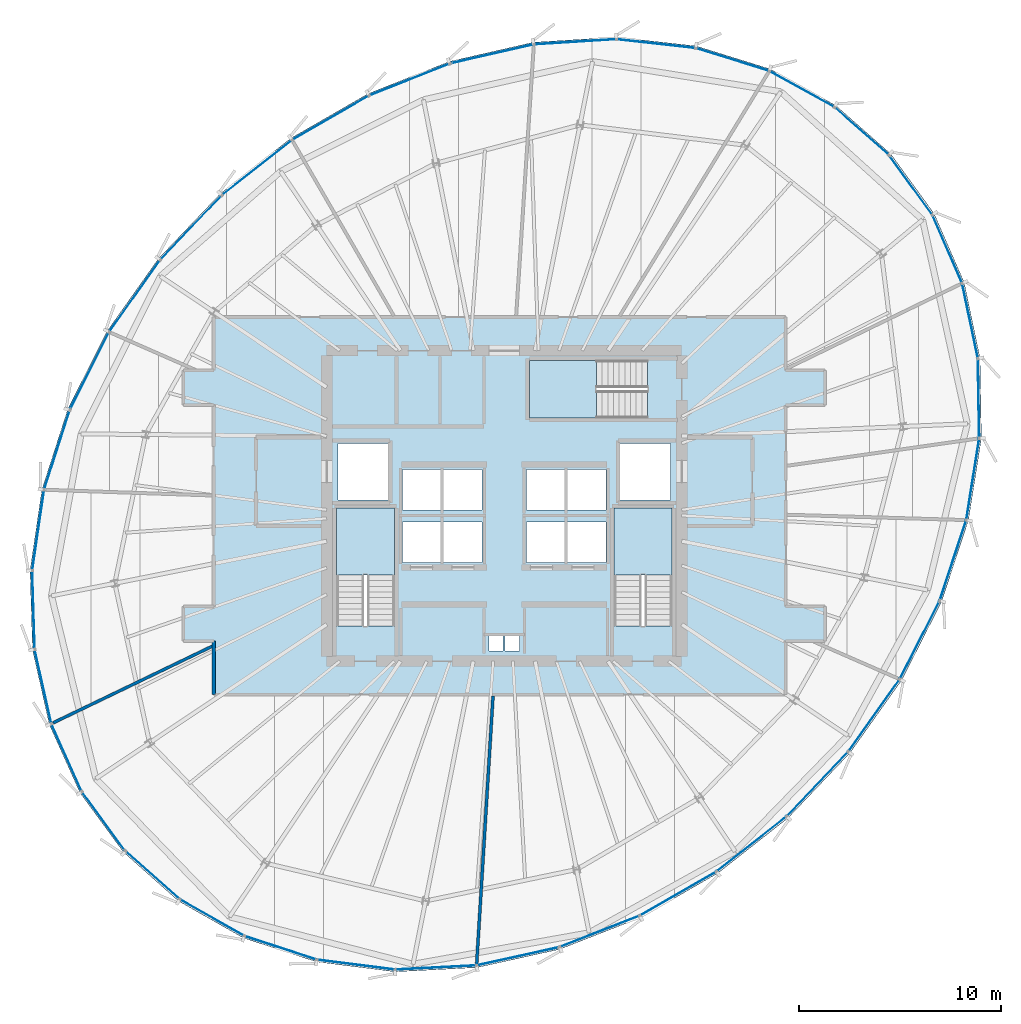
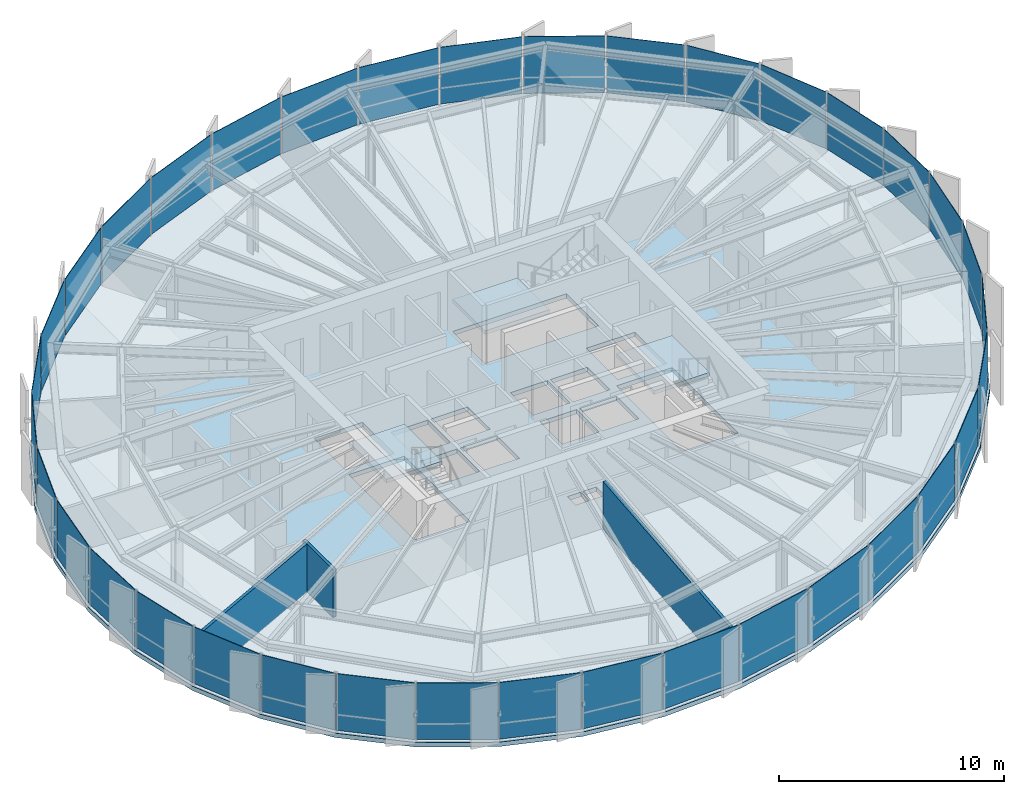
# One storey, part 29 of 35: 36 plates, 4 slabs, 3 walls, 9 elements without a shape of their own.
"""IFC4 building model written with IfcOpenShell, lengths in metres."""

from ifc_helpers import new_model, si_unit, direction, frame, frame_2d, origin, origin_2d, place, context, subcontext, project, spatial, polyline, rectangle, outline, extrude, source, transform, mapped, material, layer, layer_set, type_object, element, aggregate, save


model = new_model("IFC4")

# Units and contexts
model_context = context("Model", 3, precision=1e-05, world=origin(), true_north=direction((0.0, 1.0)))
body_context = subcontext(model_context, "Body", "Model", "MODEL_VIEW")
ifc_project = project(units=[si_unit("LENGTHUNIT", "METRE"), si_unit("AREAUNIT", "SQUARE_METRE"), si_unit("VOLUMEUNIT", "CUBIC_METRE"), si_unit("PLANEANGLEUNIT", "RADIAN"), si_unit("MASSUNIT", "GRAM", prefix="KILO"), si_unit("THERMODYNAMICTEMPERATUREUNIT", "KELVIN")], contexts=[model_context])

# Site, building, storey
site_placement = place(None, origin())
site = spatial("IfcSite", under=ifc_project, at=site_placement, CompositionType="ELEMENT")
building_placement = place(site_placement, origin())
building = spatial("IfcBuilding", under=site, at=building_placement, Name="Kethvar Cultural Tower", CompositionType="ELEMENT")
storey_placement = place(building_placement, frame((0.0, 0.0, 204.39990234375)))
storey = spatial("IfcBuildingStorey", under=building, at=storey_placement, Name="L53", CompositionType="ELEMENT", Elevation=204.39990234375)

# Stair, slab
ifc_material_1 = material(Name="Concrete C40/50", Category="concrete")
stair_type = type_object("IfcStairType", Name="ST-DOGLEG-135", PredefinedType="HALF_TURN_STAIR", material=ifc_material_1)
stair_1_placement = place(storey_placement, origin())
stair_1 = element("IfcStair", 1, at=stair_1_placement, inside=storey, type_object=stair_type, Name="L53 Core Exit Stair 1", PredefinedType="HALF_TURN_STAIR")
ifc_layer_1 = layer(ifc_material_1, 0.199951171875, Name="Concrete C40/50", Category="concrete")
ifc_layer_set_1 = layer_set([ifc_layer_1], Name="Concrete C40/50 (200 mm)")
slab_type_1 = type_object("IfcSlabType", Name="SL-STAIR-LANDING-200", PredefinedType="LANDING", material=ifc_layer_set_1)
slab_1_placement = place(storey_placement, frame((0.0, 0.0, 1.550048828125)))
slab_1 = element("IfcSlab", 2, at=slab_1_placement, type_object=slab_type_1, Name="ST-01 landing 1", PredefinedType="LANDING", context=body_context, shape_type="SweptSolid", body=[
    extrude(outline(polyline([(41.35009765625, 24.3701171875), (41.35009765625, 27.699951171875), (38.489990234375, 27.699951171875), (38.489990234375, 24.3701171875), (41.35009765625, 24.3701171875)])), origin(), (0.0, 0.0, 1.0), 0.199951171875),
])
aggregate(stair_1, [slab_1])

stair_2_placement = place(storey_placement, origin())
stair_2 = element("IfcStair", 3, at=stair_2_placement, inside=storey, type_object=stair_type, Name="L53 Core Exit Stair 2", PredefinedType="HALF_TURN_STAIR")
slab_2_placement = place(storey_placement, frame((0.0, 0.0, 1.550048828125)))
slab_2 = element("IfcSlab", 4, at=slab_2_placement, type_object=slab_type_1, Name="ST-02 landing 1", PredefinedType="LANDING", context=body_context, shape_type="SweptSolid", body=[
    extrude(outline(polyline([(55.110107421875, 24.3701171875), (55.110107421875, 27.699951171875), (52.25, 27.699951171875), (52.25, 24.3701171875), (55.110107421875, 24.3701171875)])), origin(), (0.0, 0.0, 1.0), 0.199951171875),
])
aggregate(stair_2, [slab_2])

stair_3_placement = place(storey_placement, origin())
stair_3 = element("IfcStair", 5, at=stair_3_placement, inside=storey, type_object=stair_type, Name="L53 Core Exit Stair 3", PredefinedType="HALF_TURN_STAIR")
slab_3_placement = place(storey_placement, frame((0.0, 0.0, 1.550048828125)))
slab_3 = element("IfcSlab", 6, at=slab_3_placement, type_object=slab_type_1, Name="ST-03 landing 1", PredefinedType="LANDING", context=body_context, shape_type="SweptSolid", body=[
    extrude(outline(polyline([(51.3798828125, 35.010009765625), (48.050048828125, 35.010009765625), (48.050048828125, 32.14990234375), (51.3798828125, 32.14990234375), (51.3798828125, 35.010009765625)])), origin(), (0.0, 0.0, 1.0), 0.199951171875),
])
aggregate(stair_3, [slab_3])

# Slab
ifc_layer_2 = layer(ifc_material_1, 0.239990234375, Name="Concrete C40/50", Category="concrete")
ifc_layer_set_2 = layer_set([ifc_layer_2], Name="Concrete C40/50 (240 mm)")
slab_type_2 = type_object("IfcSlabType", Name="SL-TOW-240", PredefinedType="FLOOR", material=ifc_layer_set_2)
slab_4_placement = place(storey_placement, frame((0.0, 0.0, -0.239990234375)))
element("IfcSlab", 7, at=slab_4_placement, inside=storey, type_object=slab_type_2, Name="L53 Structural Floor Slab", PredefinedType="FLOOR", context=body_context, shape_type="SweptSolid", body=[
    extrude(outline(polyline([(65.972900390625, 45.24609375), (63.229736328125, 47.662109375), (59.975830078125, 49.464111328125), (56.31396484375, 50.600830078125), (52.361572265625, 51.04345703125), (48.2451171875, 50.78466796875), (44.09619140625, 49.837646484375), (40.044677734375, 48.23486328125), (36.214599609375, 46.02587890625), (32.718994140625, 43.27490234375), (29.65478515625, 40.05712890625), (27.11181640625, 36.466796875), (25.1669921875, 32.61328125), (23.87939453125, 28.613525390625), (23.2880859375, 24.5888671875), (23.41162109375, 20.661865234375), (24.245361328125, 16.951904296875), (25.7646484375, 13.5712890625), (27.923095703125, 10.623291015625), (30.65478515625, 8.197021484375), (33.87744140625, 6.366455078125), (37.49267578125, 5.18701171875), (41.390380859375, 4.694580078125), (45.452880859375, 4.904541015625), (49.55615234375, 5.809814453125), (53.57568359375, 7.383544921875), (57.38916015625, 9.577392578125), (60.881103515625, 12.3251953125), (63.94873046875, 15.54638671875), (66.508544921875, 19.151611328125), (68.4853515625, 23.0341796875), (69.818603515625, 27.07568359375), (70.4638671875, 31.1494140625), (70.39501953125, 35.1259765625), (69.60791015625, 38.878662109375), (68.1201171875, 42.28759765625), (65.972900390625, 45.24609375)]), holes=[polyline([(38.489990234375, 21.85009765625), (38.489990234375, 27.699951171875), (41.35009765625, 27.699951171875), (41.35009765625, 21.85009765625), (38.489990234375, 21.85009765625)]), polyline([(52.25, 21.85009765625), (52.25, 27.699951171875), (55.110107421875, 27.699951171875), (55.110107421875, 21.85009765625), (52.25, 21.85009765625)]), polyline([(53.89990234375, 32.14990234375), (48.050048828125, 32.14990234375), (48.050048828125, 35.010009765625), (53.89990234375, 35.010009765625), (53.89990234375, 32.14990234375)]), polyline([(41.75, 27.0), (43.64990234375, 27.0), (43.64990234375, 25.0), (41.75, 25.0), (41.75, 27.0)]), polyline([(43.800048828125, 27.0), (45.699951171875, 27.0), (45.699951171875, 25.0), (43.800048828125, 25.0), (43.800048828125, 27.0)]), polyline([(47.89990234375, 27.0), (49.800048828125, 27.0), (49.800048828125, 25.0), (47.89990234375, 25.0), (47.89990234375, 27.0)]), polyline([(49.949951171875, 27.0), (51.85009765625, 27.0), (51.85009765625, 25.0), (49.949951171875, 25.0), (49.949951171875, 27.0)]), polyline([(41.75, 29.60009765625), (43.64990234375, 29.60009765625), (43.64990234375, 27.60009765625), (41.75, 27.60009765625), (41.75, 29.60009765625)]), polyline([(43.800048828125, 29.60009765625), (45.699951171875, 29.60009765625), (45.699951171875, 27.60009765625), (43.800048828125, 27.60009765625), (43.800048828125, 29.60009765625)]), polyline([(47.89990234375, 29.60009765625), (49.800048828125, 29.60009765625), (49.800048828125, 27.60009765625), (47.89990234375, 27.60009765625), (47.89990234375, 29.60009765625)]), polyline([(49.949951171875, 29.60009765625), (51.85009765625, 29.60009765625), (51.85009765625, 27.60009765625), (49.949951171875, 27.60009765625), (49.949951171875, 29.60009765625)]), polyline([(38.550048828125, 30.89990234375), (41.050048828125, 30.89990234375), (41.050048828125, 28.10009765625), (38.550048828125, 28.10009765625), (38.550048828125, 30.89990234375)]), polyline([(52.550048828125, 30.89990234375), (55.050048828125, 30.89990234375), (55.050048828125, 28.10009765625), (52.550048828125, 28.10009765625), (52.550048828125, 30.89990234375)]), polyline([(46.050048828125, 21.35009765625), (46.75, 21.35009765625), (46.75, 20.60009765625), (46.050048828125, 20.60009765625), (46.050048828125, 21.35009765625)]), polyline([(46.85009765625, 21.35009765625), (47.550048828125, 21.35009765625), (47.550048828125, 20.60009765625), (46.85009765625, 20.60009765625), (46.85009765625, 21.35009765625)])]), origin(), (0.0, 0.0, 1.0), 0.239990234375),
])

# Curtain wall, plate
ifc_material_2 = material(Name="Aluminium 6063-T6", Category="aluminium")
ifc_layer_3 = layer(ifc_material_2, 0.179931640625, Name="Aluminium 6063-T6", Category="aluminium")
ifc_layer_set_3 = layer_set([ifc_layer_3], Name="Aluminium 6063-T6 (180 mm)")
curtain_wall_type = type_object("IfcCurtainWallType", Name="CW-SYS-04-Z34", PredefinedType="NOTDEFINED", material=ifc_layer_set_3)
curtain_wall_1_placement = place(storey_placement, origin())
curtain_wall_1 = element("IfcCurtainWall", 8, at=curtain_wall_1_placement, inside=storey, type_object=curtain_wall_type, Name="L53 Curtain Wall Run 01", PredefinedType="NOTDEFINED")
ifc_material_3 = material(Name="Insulated Low-E Solar Glass", Category="glass")
ifc_layer_4 = layer(ifc_material_3, 0.030029296875, Name="Insulated Low-E Solar Glass", Category="glass")
ifc_layer_set_4 = layer_set([ifc_layer_4], Name="Insulated Low-E Solar Glass (30 mm)")
plate_type = type_object("IfcPlateType", Name="CW-SYS-04-Z34-PNL", PredefinedType="CURTAIN_PANEL", material=ifc_layer_set_4)
shared_shape_1 = source(origin(), body_context, "Body", "SweptSolid", [
    extrude(rectangle(XDim=3.569091796875, YDim=0.030029296875, at=origin_2d()), origin(), (0.0, 0.0, 1.0), 3.080078125),
])
plate_1_placement = place(storey_placement, frame((64.528564453125, 46.37158203125, 0.090087890625), z_axis=(0.0, 0.0, 1.0), x_axis=(-0.750422622206, 0.660958310395, 0.0)))
plate_1 = element("IfcPlate", 9, at=plate_1_placement, type_object=plate_type, Name="CW-L53-R01 Vision Glazing Panel 1", PredefinedType="CURTAIN_PANEL", context=body_context, shape_type="MappedRepresentation", body=[
    mapped(shared_shape_1, transform((0.0, 0.0, 0.0), scale=1.0)),
])

curtain_wall_2_placement = place(storey_placement, origin())
curtain_wall_2 = element("IfcCurtainWall", 10, at=curtain_wall_2_placement, inside=storey, type_object=curtain_wall_type, Name="L53 Curtain Wall Run 06", PredefinedType="NOTDEFINED")
plate_2_placement = place(storey_placement, frame((66.95751953125, 43.7021484375, 0.090087890625), z_axis=(0.0, 0.0, 1.0), x_axis=(-0.58741807152, 0.809283639555, 0.0)))
plate_2 = element("IfcPlate", 11, at=plate_2_placement, type_object=plate_type, Name="CW-L53-R06 Vision Glazing Panel 6", PredefinedType="CURTAIN_PANEL", context=body_context, shape_type="MappedRepresentation", body=[
    mapped(shared_shape_1, transform((0.0, 0.0, 0.0), scale=1.0)),
])

# Plate
shared_shape_2 = source(origin(), body_context, "Body", "SweptSolid", [
    extrude(rectangle(XDim=3.63330078125, YDim=0.030029296875, at=origin_2d()), origin(), (0.0, 0.0, 1.0), 3.080078125),
])
plate_3_placement = place(storey_placement, frame((61.549560546875, 48.466796875, 0.090087890625), z_axis=(0.0, 0.0, 1.0), x_axis=(-0.87481425172, 0.484458486341, 0.0)))
plate_3 = element("IfcPlate", 12, at=plate_3_placement, type_object=plate_type, Name="CW-L53-R01 Vision Glazing Panel 2", PredefinedType="CURTAIN_PANEL", context=body_context, shape_type="MappedRepresentation", body=[
    mapped(shared_shape_2, transform((0.0, 0.0, 0.0), scale=1.0)),
])

shared_shape_3 = source(origin(), body_context, "Body", "SweptSolid", [
    extrude(rectangle(XDim=3.747802734375, YDim=0.030029296875, at=origin_2d()), origin(), (0.0, 0.0, 1.0), 3.080078125),
])
plate_4_placement = place(storey_placement, frame((58.1123046875, 49.927490234375, 0.090087890625), z_axis=(0.0, 0.0, 1.0), x_axis=(-0.955040644637, 0.296474901283, 0.0)))
plate_4 = element("IfcPlate", 13, at=plate_4_placement, type_object=plate_type, Name="CW-L53-R01 Vision Glazing Panel 3", PredefinedType="CURTAIN_PANEL", context=body_context, shape_type="MappedRepresentation", body=[
    mapped(shared_shape_3, transform((0.0, 0.0, 0.0), scale=1.0)),
])

plate_5_placement = place(storey_placement, frame((69.893798828125, 36.979736328125, 0.090087890625), z_axis=(0.0, 0.0, 1.0), x_axis=(-0.20528187096, 0.978702893352, 0.0)))
plate_5 = element("IfcPlate", 14, at=plate_5_placement, type_object=plate_type, Name="CW-L53-R06 Vision Glazing Panel 4", PredefinedType="CURTAIN_PANEL", context=body_context, shape_type="MappedRepresentation", body=[
    mapped(shared_shape_3, transform((0.0, 0.0, 0.0), scale=1.0)),
])

shared_shape_4 = source(origin(), body_context, "Body", "SweptSolid", [
    extrude(rectangle(XDim=3.890625, YDim=0.030029296875, at=origin_2d()), origin(), (0.0, 0.0, 1.0), 3.080078125),
])
plate_6_placement = place(storey_placement, frame((54.325439453125, 50.712890625, 0.090087890625), z_axis=(0.0, 0.0, 1.0), x_axis=(-0.993787359023, 0.111295485288, 0.0)))
plate_6 = element("IfcPlate", 15, at=plate_6_placement, type_object=plate_type, Name="CW-L53-R01 Vision Glazing Panel 4", PredefinedType="CURTAIN_PANEL", context=body_context, shape_type="MappedRepresentation", body=[
    mapped(shared_shape_4, transform((0.0, 0.0, 0.0), scale=1.0)),
])

shared_shape_5 = source(origin(), body_context, "Body", "SweptSolid", [
    extrude(rectangle(XDim=4.0380859375, YDim=0.030029296875, at=origin_2d()), origin(), (0.0, 0.0, 1.0), 3.080078125),
])
plate_7_placement = place(storey_placement, frame((50.310302734375, 50.80419921875, 0.090087890625), z_axis=(0.0, 0.0, 1.0), x_axis=(-0.998028919623, -0.062755681786, 0.0)))
plate_7 = element("IfcPlate", 16, at=plate_7_placement, type_object=plate_type, Name="CW-L53-R01 Vision Glazing Panel 5", PredefinedType="CURTAIN_PANEL", context=body_context, shape_type="MappedRepresentation", body=[
    mapped(shared_shape_5, transform((0.0, 0.0, 0.0), scale=1.0)),
])

plate_8_placement = place(storey_placement, frame((70.03271484375, 29.1298828125, 0.090087890625), z_axis=(0.0, 0.0, 1.0), x_axis=(0.156399988118, 0.987693800586, 0.0)))
plate_8 = element("IfcPlate", 17, at=plate_8_placement, type_object=plate_type, Name="CW-L53-R06 Vision Glazing Panel 2", PredefinedType="CURTAIN_PANEL", context=body_context, shape_type="MappedRepresentation", body=[
    mapped(shared_shape_5, transform((0.0, 0.0, 0.0), scale=1.0)),
])

shared_shape_6 = source(origin(), body_context, "Body", "SweptSolid", [
    extrude(rectangle(XDim=4.169189453125, YDim=0.030029296875, at=origin_2d()), origin(), (0.0, 0.0, 1.0), 3.080078125),
])
plate_9_placement = place(storey_placement, frame((46.1953125, 50.203857421875, 0.090087890625), z_axis=(0.0, 0.0, 1.0), x_axis=(-0.974928466996, -0.222518503141, 0.0)))
plate_9 = element("IfcPlate", 18, at=plate_9_placement, type_object=plate_type, Name="CW-L53-R01 Vision Glazing Panel 6", PredefinedType="CURTAIN_PANEL", context=body_context, shape_type="MappedRepresentation", body=[
    mapped(shared_shape_6, transform((0.0, 0.0, 0.0), scale=1.0)),
])

aggregate(curtain_wall_1, [plate_1, plate_3, plate_4, plate_6, plate_7, plate_9])

plate_10_placement = place(storey_placement, frame((69.047607421875, 25.08935546875, 0.090087890625), z_axis=(0.0, 0.0, 1.0), x_axis=(0.313296406444, 0.949655391028, 0.0)))
plate_10 = element("IfcPlate", 19, at=plate_10_placement, type_object=plate_type, Name="CW-L53-R06 Vision Glazing Panel 1", PredefinedType="CURTAIN_PANEL", context=body_context, shape_type="MappedRepresentation", body=[
    mapped(shared_shape_6, transform((0.0, 0.0, 0.0), scale=1.0)),
])

# Curtain wall, plates
curtain_wall_3_placement = place(storey_placement, origin())
curtain_wall_3 = element("IfcCurtainWall", 20, at=curtain_wall_3_placement, inside=storey, type_object=curtain_wall_type, Name="L53 Curtain Wall Run 02", PredefinedType="NOTDEFINED")
shared_shape_7 = source(origin(), body_context, "Body", "SweptSolid", [
    extrude(rectangle(XDim=4.270751953125, YDim=0.030029296875, at=origin_2d()), origin(), (0.0, 0.0, 1.0), 3.080078125),
])
plate_11_placement = place(storey_placement, frame((42.11083984375, 48.93408203125, 0.090087890625), z_axis=(0.0, 0.0, 1.0), x_axis=(-0.929879249402, -0.367864895759, 0.0)))
plate_11 = element("IfcPlate", 21, at=plate_11_placement, type_object=plate_type, Name="CW-L53-R02 Vision Glazing Panel 1", PredefinedType="CURTAIN_PANEL", context=body_context, shape_type="MappedRepresentation", body=[
    mapped(shared_shape_7, transform((0.0, 0.0, 0.0), scale=1.0)),
])
shared_shape_8 = source(origin(), body_context, "Body", "SweptSolid", [
    extrude(rectangle(XDim=4.335205078125, YDim=0.030029296875, at=origin_2d()), origin(), (0.0, 0.0, 1.0), 3.080078125),
])
plate_12_placement = place(storey_placement, frame((38.1845703125, 47.03515625, 0.090087890625), z_axis=(0.0, 0.0, 1.0), x_axis=(-0.866260927067, -0.499591839642, 0.0)))
plate_12 = element("IfcPlate", 22, at=plate_12_placement, type_object=plate_type, Name="CW-L53-R02 Vision Glazing Panel 2", PredefinedType="CURTAIN_PANEL", context=body_context, shape_type="MappedRepresentation", body=[
    mapped(shared_shape_8, transform((0.0, 0.0, 0.0), scale=1.0)),
])

# Curtain wall, plate
curtain_wall_4_placement = place(storey_placement, origin())
curtain_wall_4 = element("IfcCurtainWall", 23, at=curtain_wall_4_placement, inside=storey, type_object=curtain_wall_type, Name="L53 Curtain Wall Run 05", PredefinedType="NOTDEFINED")
plate_13_placement = place(storey_placement, frame((65.138916015625, 17.41259765625, 0.090087890625), z_axis=(0.0, 0.0, 1.0), x_axis=(0.578911219452, 0.815390581251, 0.0)))
plate_13 = element("IfcPlate", 24, at=plate_13_placement, type_object=plate_type, Name="CW-L53-R05 Vision Glazing Panel 5", PredefinedType="CURTAIN_PANEL", context=body_context, shape_type="MappedRepresentation", body=[
    mapped(shared_shape_8, transform((0.0, 0.0, 0.0), scale=1.0)),
])

# Plate
shared_shape_9 = source(origin(), body_context, "Body", "SweptSolid", [
    extrude(rectangle(XDim=4.36181640625, YDim=0.030029296875, at=origin_2d()), origin(), (0.0, 0.0, 1.0), 3.080078125),
])
plate_14_placement = place(storey_placement, frame((34.534912109375, 44.56396484375, 0.090087890625), z_axis=(0.0, 0.0, 1.0), x_axis=(-0.785835306171, -0.618435826561, 0.0)))
plate_14 = element("IfcPlate", 25, at=plate_14_placement, type_object=plate_type, Name="CW-L53-R02 Vision Glazing Panel 3", PredefinedType="CURTAIN_PANEL", context=body_context, shape_type="MappedRepresentation", body=[
    mapped(shared_shape_9, transform((0.0, 0.0, 0.0), scale=1.0)),
])

shared_shape_10 = source(origin(), body_context, "Body", "SweptSolid", [
    extrude(rectangle(XDim=4.35693359375, YDim=0.030029296875, at=origin_2d()), origin(), (0.0, 0.0, 1.0), 3.080078125),
])
plate_15_placement = place(storey_placement, frame((31.2666015625, 41.590087890625, 0.090087890625), z_axis=(0.0, 0.0, 1.0), x_axis=(-0.68958162524, -0.72420796884, 0.0)))
plate_15 = element("IfcPlate", 26, at=plate_15_placement, type_object=plate_type, Name="CW-L53-R02 Vision Glazing Panel 4", PredefinedType="CURTAIN_PANEL", context=body_context, shape_type="MappedRepresentation", body=[
    mapped(shared_shape_10, transform((0.0, 0.0, 0.0), scale=1.0)),
])

shared_shape_11 = source(origin(), body_context, "Body", "SweptSolid", [
    extrude(rectangle(XDim=4.313232421875, YDim=0.030029296875, at=origin_2d()), origin(), (0.0, 0.0, 1.0), 3.080078125),
])
plate_16_placement = place(storey_placement, frame((28.47314453125, 38.198486328125, 0.090087890625), z_axis=(0.0, 0.0, 1.0), x_axis=(-0.578028543166, -0.816016545963, 0.0)))
plate_16 = element("IfcPlate", 27, at=plate_16_placement, type_object=plate_type, Name="CW-L53-R02 Vision Glazing Panel 5", PredefinedType="CURTAIN_PANEL", context=body_context, shape_type="MappedRepresentation", body=[
    mapped(shared_shape_11, transform((0.0, 0.0, 0.0), scale=1.0)),
])

plate_17_placement = place(storey_placement, frame((55.427490234375, 8.575927734375, 0.090087890625), z_axis=(0.0, 0.0, 1.0), x_axis=(0.866792326895, 0.49866929125, 0.0)))
plate_17 = element("IfcPlate", 28, at=plate_17_placement, type_object=plate_type, Name="CW-L53-R05 Vision Glazing Panel 2", PredefinedType="CURTAIN_PANEL", context=body_context, shape_type="MappedRepresentation", body=[
    mapped(shared_shape_11, transform((0.0, 0.0, 0.0), scale=1.0)),
])

shared_shape_12 = source(origin(), body_context, "Body", "SweptSolid", [
    extrude(rectangle(XDim=4.230224609375, YDim=0.030029296875, at=origin_2d()), origin(), (0.0, 0.0, 1.0), 3.080078125),
])
plate_18_placement = place(storey_placement, frame((26.237548828125, 34.490478515625, 0.090087890625), z_axis=(0.0, 0.0, 1.0), x_axis=(-0.450565941999, -0.892743150022, 0.0)))
plate_18 = element("IfcPlate", 29, at=plate_18_placement, type_object=plate_type, Name="CW-L53-R02 Vision Glazing Panel 6", PredefinedType="CURTAIN_PANEL", context=body_context, shape_type="MappedRepresentation", body=[
    mapped(shared_shape_12, transform((0.0, 0.0, 0.0), scale=1.0)),
])

aggregate(curtain_wall_3, [plate_11, plate_12, plate_14, plate_15, plate_16, plate_18])

plate_19_placement = place(storey_placement, frame((51.52587890625, 6.69921875, 0.090087890625), z_axis=(0.0, 0.0, 1.0), x_axis=(0.931183125162, 0.364551762325, 0.0)))
plate_19 = element("IfcPlate", 30, at=plate_19_placement, type_object=plate_type, Name="CW-L53-R05 Vision Glazing Panel 1", PredefinedType="CURTAIN_PANEL", context=body_context, shape_type="MappedRepresentation", body=[
    mapped(shared_shape_12, transform((0.0, 0.0, 0.0), scale=1.0)),
])

# Curtain wall, plate
curtain_wall_5_placement = place(storey_placement, origin())
curtain_wall_5 = element("IfcCurtainWall", 31, at=curtain_wall_5_placement, inside=storey, type_object=curtain_wall_type, Name="L53 Curtain Wall Run 03", PredefinedType="NOTDEFINED")
shared_shape_13 = source(origin(), body_context, "Body", "SweptSolid", [
    extrude(rectangle(XDim=4.115478515625, YDim=0.030029296875, at=origin_2d()), origin(), (0.0, 0.0, 1.0), 3.080078125),
])
plate_20_placement = place(storey_placement, frame((24.627685546875, 30.57958984375, 0.090087890625), z_axis=(0.0, 0.0, 1.0), x_axis=(-0.306426397635, -0.95189435487, 0.0)))
plate_20 = element("IfcPlate", 32, at=plate_20_placement, type_object=plate_type, Name="CW-L53-R03 Vision Glazing Panel 1", PredefinedType="CURTAIN_PANEL", context=body_context, shape_type="MappedRepresentation", body=[
    mapped(shared_shape_13, transform((0.0, 0.0, 0.0), scale=1.0)),
])

curtain_wall_6_placement = place(storey_placement, origin())
curtain_wall_6 = element("IfcCurtainWall", 33, at=curtain_wall_6_placement, inside=storey, type_object=curtain_wall_type, Name="L53 Curtain Wall Run 04", PredefinedType="NOTDEFINED")
plate_21_placement = place(storey_placement, frame((47.480712890625, 5.464599609375, 0.090087890625), z_axis=(0.0, 0.0, 1.0), x_axis=(0.976510846245, 0.215468250944, 0.0)))
plate_21 = element("IfcPlate", 34, at=plate_21_placement, type_object=plate_type, Name="CW-L53-R04 Vision Glazing Panel 6", PredefinedType="CURTAIN_PANEL", context=body_context, shape_type="MappedRepresentation", body=[
    mapped(shared_shape_13, transform((0.0, 0.0, 0.0), scale=1.0)),
])

# Plate
shared_shape_14 = source(origin(), body_context, "Body", "SweptSolid", [
    extrude(rectangle(XDim=3.9814453125, YDim=0.030029296875, at=origin_2d()), origin(), (0.0, 0.0, 1.0), 3.080078125),
])
plate_22_placement = place(storey_placement, frame((23.692626953125, 26.585205078125, 0.090087890625), z_axis=(0.0, 0.0, 1.0), x_axis=(-0.145306010913, -0.989386761177, 0.0)))
plate_22 = element("IfcPlate", 35, at=plate_22_placement, type_object=plate_type, Name="CW-L53-R03 Vision Glazing Panel 2", PredefinedType="CURTAIN_PANEL", context=body_context, shape_type="MappedRepresentation", body=[
    mapped(shared_shape_14, transform((0.0, 0.0, 0.0), scale=1.0)),
])

shared_shape_15 = source(origin(), body_context, "Body", "SweptSolid", [
    extrude(rectangle(XDim=3.842529296875, YDim=0.030029296875, at=origin_2d()), origin(), (0.0, 0.0, 1.0), 3.080078125),
])
plate_23_placement = place(storey_placement, frame((23.459716796875, 22.62890625, 0.090087890625), z_axis=(0.0, 0.0, 1.0), x_axis=(0.031375869698, -0.999507656199, 0.0)))
plate_23 = element("IfcPlate", 36, at=plate_23_placement, type_object=plate_type, Name="CW-L53-R03 Vision Glazing Panel 3", PredefinedType="CURTAIN_PANEL", context=body_context, shape_type="MappedRepresentation", body=[
    mapped(shared_shape_15, transform((0.0, 0.0, 0.0), scale=1.0)),
])

plate_24_placement = place(storey_placement, frame((39.455322265625, 5.0498046875, 0.090087890625), z_axis=(0.0, 0.0, 1.0), x_axis=(0.992119075665, -0.125298602152, 0.0)))
plate_24 = element("IfcPlate", 37, at=plate_24_placement, type_object=plate_type, Name="CW-L53-R04 Vision Glazing Panel 4", PredefinedType="CURTAIN_PANEL", context=body_context, shape_type="MappedRepresentation", body=[
    mapped(shared_shape_15, transform((0.0, 0.0, 0.0), scale=1.0)),
])

shared_shape_16 = source(origin(), body_context, "Body", "SweptSolid", [
    extrude(rectangle(XDim=3.71630859375, YDim=0.030029296875, at=origin_2d()), origin(), (0.0, 0.0, 1.0), 3.080078125),
])
plate_25_placement = place(storey_placement, frame((23.935791015625, 18.8310546875, 0.090087890625), z_axis=(0.0, 0.0, 1.0), x_axis=(0.219301328821, -0.975657177075, 0.0)))
plate_25 = element("IfcPlate", 38, at=plate_25_placement, type_object=plate_type, Name="CW-L53-R03 Vision Glazing Panel 4", PredefinedType="CURTAIN_PANEL", context=body_context, shape_type="MappedRepresentation", body=[
    mapped(shared_shape_16, transform((0.0, 0.0, 0.0), scale=1.0)),
])

plate_26_placement = place(storey_placement, frame((35.718994140625, 5.88134765625, 0.090087890625), z_axis=(0.0, 0.0, 1.0), x_axis=(0.950689097824, -0.310145513072, 0.0)))
plate_26 = element("IfcPlate", 39, at=plate_26_placement, type_object=plate_type, Name="CW-L53-R04 Vision Glazing Panel 3", PredefinedType="CURTAIN_PANEL", context=body_context, shape_type="MappedRepresentation", body=[
    mapped(shared_shape_16, transform((0.0, 0.0, 0.0), scale=1.0)),
])

shared_shape_17 = source(origin(), body_context, "Body", "SweptSolid", [
    extrude(rectangle(XDim=3.61962890625, YDim=0.030029296875, at=origin_2d()), origin(), (0.0, 0.0, 1.0), 3.080078125),
])
plate_27_placement = place(storey_placement, frame((25.105224609375, 15.306640625, 0.090087890625), z_axis=(0.0, 0.0, 1.0), x_axis=(0.409923033842, -0.912120116172, 0.0)))
plate_27 = element("IfcPlate", 40, at=plate_27_placement, type_object=plate_type, Name="CW-L53-R03 Vision Glazing Panel 5", PredefinedType="CURTAIN_PANEL", context=body_context, shape_type="MappedRepresentation", body=[
    mapped(shared_shape_17, transform((0.0, 0.0, 0.0), scale=1.0)),
])

shared_shape_18 = source(origin(), body_context, "Body", "SweptSolid", [
    extrude(rectangle(XDim=3.5673828125, YDim=0.030029296875, at=origin_2d()), origin(), (0.0, 0.0, 1.0), 3.080078125),
])
plate_28_placement = place(storey_placement, frame((26.9326171875, 12.162353515625, 0.090087890625), z_axis=(0.0, 0.0, 1.0), x_axis=(0.590718334778, -0.80687784017, 0.0)))
plate_28 = element("IfcPlate", 41, at=plate_28_placement, type_object=plate_type, Name="CW-L53-R03 Vision Glazing Panel 6", PredefinedType="CURTAIN_PANEL", context=body_context, shape_type="MappedRepresentation", body=[
    mapped(shared_shape_18, transform((0.0, 0.0, 0.0), scale=1.0)),
])

aggregate(curtain_wall_5, [plate_20, plate_22, plate_23, plate_25, plate_27, plate_28])

plate_29_placement = place(storey_placement, frame((29.362060546875, 9.492431640625, 0.090087890625), z_axis=(0.0, 0.0, 1.0), x_axis=(0.747705381622, -0.664030618491, 0.0)))
plate_29 = element("IfcPlate", 42, at=plate_29_placement, type_object=plate_type, Name="CW-L53-R04 Vision Glazing Panel 1", PredefinedType="CURTAIN_PANEL", context=body_context, shape_type="MappedRepresentation", body=[
    mapped(shared_shape_18, transform((0.0, 0.0, 0.0), scale=1.0)),
])

shared_shape_19 = source(origin(), body_context, "Body", "SweptSolid", [
    extrude(rectangle(XDim=3.619873046875, YDim=0.030029296875, at=origin_2d()), origin(), (0.0, 0.0, 1.0), 3.080078125),
])
plate_30_placement = place(storey_placement, frame((32.320556640625, 7.377197265625, 0.090087890625), z_axis=(0.0, 0.0, 1.0), x_axis=(0.869494929505, -0.493941866584, 0.0)))
plate_30 = element("IfcPlate", 43, at=plate_30_placement, type_object=plate_type, Name="CW-L53-R04 Vision Glazing Panel 2", PredefinedType="CURTAIN_PANEL", context=body_context, shape_type="MappedRepresentation", body=[
    mapped(shared_shape_19, transform((0.0, 0.0, 0.0), scale=1.0)),
])

shared_shape_20 = source(origin(), body_context, "Body", "SweptSolid", [
    extrude(rectangle(XDim=3.981201171875, YDim=0.030029296875, at=origin_2d()), origin(), (0.0, 0.0, 1.0), 3.080078125),
])
plate_31_placement = place(storey_placement, frame((43.416015625, 4.909423828125, 0.090087890625), z_axis=(0.0, 0.0, 1.0), x_axis=(0.998669431414, 0.051569048457, 0.0)))
plate_31 = element("IfcPlate", 44, at=plate_31_placement, type_object=plate_type, Name="CW-L53-R04 Vision Glazing Panel 5", PredefinedType="CURTAIN_PANEL", context=body_context, shape_type="MappedRepresentation", body=[
    mapped(shared_shape_20, transform((0.0, 0.0, 0.0), scale=1.0)),
])

aggregate(curtain_wall_6, [plate_29, plate_30, plate_26, plate_24, plate_31, plate_21])

shared_shape_21 = source(origin(), body_context, "Body", "SweptSolid", [
    extrude(rectangle(XDim=4.356689453125, YDim=0.030029296875, at=origin_2d()), origin(), (0.0, 0.0, 1.0), 3.080078125),
])
plate_32_placement = place(storey_placement, frame((59.067138671875, 11.03759765625, 0.090087890625), z_axis=(0.0, 0.0, 1.0), x_axis=(0.785889271886, 0.618367247139, 0.0)))
plate_32 = element("IfcPlate", 45, at=plate_32_placement, type_object=plate_type, Name="CW-L53-R05 Vision Glazing Panel 3", PredefinedType="CURTAIN_PANEL", context=body_context, shape_type="MappedRepresentation", body=[
    mapped(shared_shape_21, transform((0.0, 0.0, 0.0), scale=1.0)),
])

shared_shape_22 = source(origin(), body_context, "Body", "SweptSolid", [
    extrude(rectangle(XDim=4.362060546875, YDim=0.030029296875, at=origin_2d()), origin(), (0.0, 0.0, 1.0), 3.080078125),
])
plate_33_placement = place(storey_placement, frame((62.335205078125, 14.011474609375, 0.090087890625), z_axis=(0.0, 0.0, 1.0), x_axis=(0.689644821682, 0.724147788733, 0.0)))
plate_33 = element("IfcPlate", 46, at=plate_33_placement, type_object=plate_type, Name="CW-L53-R05 Vision Glazing Panel 4", PredefinedType="CURTAIN_PANEL", context=body_context, shape_type="MappedRepresentation", body=[
    mapped(shared_shape_22, transform((0.0, 0.0, 0.0), scale=1.0)),
])

shared_shape_23 = source(origin(), body_context, "Body", "SweptSolid", [
    extrude(rectangle(XDim=4.2705078125, YDim=0.030029296875, at=origin_2d()), origin(), (0.0, 0.0, 1.0), 3.080078125),
])
plate_34_placement = place(storey_placement, frame((67.39892578125, 21.142822265625, 0.090087890625), z_axis=(0.0, 0.0, 1.0), x_axis=(0.453726112802, 0.89114118666, 0.0)))
plate_34 = element("IfcPlate", 47, at=plate_34_placement, type_object=plate_type, Name="CW-L53-R05 Vision Glazing Panel 6", PredefinedType="CURTAIN_PANEL", context=body_context, shape_type="MappedRepresentation", body=[
    mapped(shared_shape_23, transform((0.0, 0.0, 0.0), scale=1.0)),
])

aggregate(curtain_wall_4, [plate_19, plate_17, plate_32, plate_33, plate_13, plate_34])

shared_shape_24 = source(origin(), body_context, "Body", "SweptSolid", [
    extrude(rectangle(XDim=3.890869140625, YDim=0.030029296875, at=origin_2d()), origin(), (0.0, 0.0, 1.0), 3.080078125),
])
plate_35_placement = place(storey_placement, frame((70.3193359375, 33.1357421875, 0.090087890625), z_axis=(0.0, 0.0, 1.0), x_axis=(-0.017295350514, 0.999850424239, 0.0)))
plate_35 = element("IfcPlate", 48, at=plate_35_placement, type_object=plate_type, Name="CW-L53-R06 Vision Glazing Panel 3", PredefinedType="CURTAIN_PANEL", context=body_context, shape_type="MappedRepresentation", body=[
    mapped(shared_shape_24, transform((0.0, 0.0, 0.0), scale=1.0)),
])

shared_shape_25 = source(origin(), body_context, "Body", "SweptSolid", [
    extrude(rectangle(XDim=3.633056640625, YDim=0.030029296875, at=origin_2d()), origin(), (0.0, 0.0, 1.0), 3.080078125),
])
plate_36_placement = place(storey_placement, frame((68.76318359375, 40.5390625, 0.090087890625), z_axis=(0.0, 0.0, 1.0), x_axis=(-0.399965152323, 0.916530346976, 0.0)))
plate_36 = element("IfcPlate", 49, at=plate_36_placement, type_object=plate_type, Name="CW-L53-R06 Vision Glazing Panel 5", PredefinedType="CURTAIN_PANEL", context=body_context, shape_type="MappedRepresentation", body=[
    mapped(shared_shape_25, transform((0.0, 0.0, 0.0), scale=1.0)),
])

aggregate(curtain_wall_2, [plate_10, plate_8, plate_35, plate_5, plate_36, plate_2])

# Walls
ifc_material_4 = material(Name="Gypsum Fireboard Partition")
ifc_layer_5 = layer(ifc_material_4, 0.14990234375, Name="Gypsum Fireboard Partition")
ifc_layer_set_5 = layer_set([ifc_layer_5], Name="Gypsum Fireboard Partition (150 mm)")
wall_type_1 = type_object("IfcWallType", Name="WL-FIRE-150", PredefinedType="PARTITIONING", material=ifc_layer_set_5)
wall_1_placement = place(storey_placement, frame((32.39990234375, 21.10009765625, 0.0), z_axis=(0.0, 0.0, 1.0), x_axis=(0.0, -1.0, 0.0)))
element("IfcWall", 50, at=wall_1_placement, inside=storey, type_object=wall_type_1, Name="L53 Corridor Rated Wall W1", PredefinedType="PARTITIONING", context=body_context, shape_type="SweptSolid", body=[
    extrude(rectangle(XDim=2.650146484375, YDim=0.14990234375, at=frame_2d((1.3251953125, 0.0))), origin(), (0.0, 0.0, 1.0), 2.59521484375),
])
ifc_material_5 = material(Name="Gypsum Acoustic Partition")
ifc_layer_6 = layer(ifc_material_5, 0.14990234375, Name="Gypsum Acoustic Partition")
ifc_layer_set_6 = layer_set([ifc_layer_6], Name="Gypsum Acoustic Partition (150 mm)")
wall_type_2 = type_object("IfcWallType", Name="WL-PART-150", PredefinedType="PARTITIONING", material=ifc_layer_set_6)
wall_2_placement = place(storey_placement, frame((32.327880859375, 20.83935546875, 0.0), z_axis=(0.0, 0.0, 1.0), x_axis=(-0.901038386283, -0.43373935312, 0.0)))
element("IfcWall", 51, at=wall_2_placement, inside=storey, type_object=wall_type_2, Name="L53 Radial Partition Wall 01", PredefinedType="PARTITIONING", context=body_context, shape_type="SweptSolid", body=[
    extrude(rectangle(XDim=8.7587890625, YDim=0.14990234375, at=frame_2d((4.37939453125, 0.0))), origin(), (0.0, 0.0, 1.0), 2.59521484375),
])
wall_3_placement = place(storey_placement, frame((46.2451171875, 18.3701171875, 0.0), z_axis=(0.0, 0.0, 1.0), x_axis=(-0.060966188307, -0.998139831829, 0.0)))
element("IfcWall", 52, at=wall_3_placement, inside=storey, type_object=wall_type_2, Name="L53 Radial Partition Wall 02", PredefinedType="PARTITIONING", context=body_context, shape_type="SweptSolid", body=[
    extrude(rectangle(XDim=13.282958984375, YDim=0.14990234375, at=frame_2d((6.6416015625, 0.0))), origin(), (0.0, 0.0, 1.0), 2.59521484375),
])

save(model, "model.ifc")
